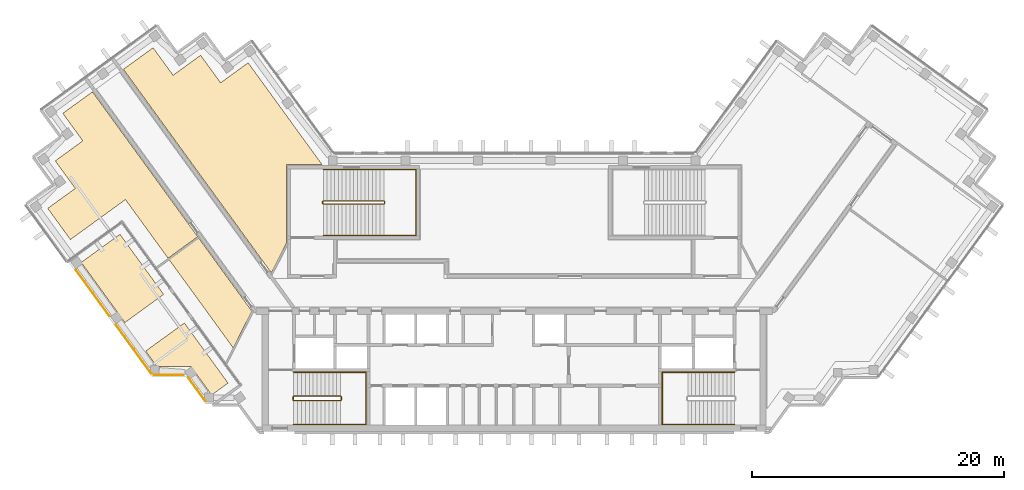
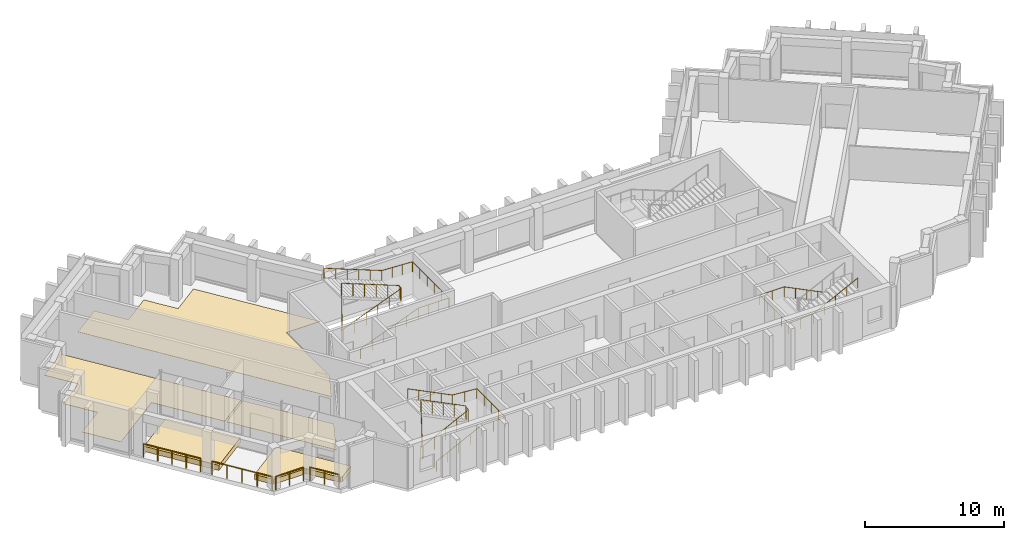
# One storey, part 9 of 10: 9 railings, 5 coverings.
"""IFC4 building model written with IfcOpenShell, lengths in metres."""

from ifc_helpers import new_model, si_unit, direction, frame, origin, origin_2d, place, context, subcontext, project, spatial, polyline, circle, outline, extrude, material, layer, layer_set, type_object, element, save


model = new_model("IFC4")

# Units and contexts
model_context = context("Model", 3, precision=1e-05, world=origin(), true_north=direction((0.0, 1.0)))
body_context = subcontext(model_context, "Body", "Model", "MODEL_VIEW")
ifc_project = project(units=[si_unit("LENGTHUNIT", "METRE"), si_unit("AREAUNIT", "SQUARE_METRE"), si_unit("VOLUMEUNIT", "CUBIC_METRE"), si_unit("PLANEANGLEUNIT", "RADIAN"), si_unit("MASSUNIT", "GRAM", prefix="KILO")], contexts=[model_context])

# Site, building, storey
site_placement = place(None, origin())
site = spatial("IfcSite", under=ifc_project, at=site_placement, CompositionType="ELEMENT")
building_placement = place(site_placement, origin())
building = spatial("IfcBuilding", under=site, at=building_placement, Name="Quipu Civic Tower", CompositionType="ELEMENT")
storey_placement = place(building_placement, frame((0.0, 0.0, 265.0)))
storey = spatial("IfcBuildingStorey", under=building, at=storey_placement, Name="L62", CompositionType="ELEMENT", Elevation=265.0)

# Coverings
ifc_material_1 = material(Name="Carpet tile on raised access floor")
ifc_layer_1 = layer(ifc_material_1, 0.02001953125)
ifc_layer_set_1 = layer_set([ifc_layer_1], Name="Carpet tile on raised access floor")
covering_type_1 = type_object("IfcCoveringType", Name="Carpet tile floor finish 20", PredefinedType="FLOORING", material=ifc_layer_set_1)
covering_1_placement = place(storey_placement, origin())
element("IfcCovering", 1, at=covering_1_placement, inside=storey, type_object=covering_type_1, Name="Carpet tile floor finish 20", PredefinedType="FLOORING", context=body_context, shape_type="SweptSolid", body=[
    extrude(outline(polyline([(-31.013916015625, 17.7451171875), (-28.658935546875, 19.455078125), (-27.073974609375, 17.27197265625), (-24.887939453125, 18.85791015625), (-23.301025390625, 16.675048828125), (-21.116943359375, 18.260986328125), (-15.238037109375, 10.169921875), (-18.070068359375, 10.1689453125), (-18.070068359375, 3.94189453125), (-19.27197265625, 1.583984375), (-31.013916015625, 17.7451171875)])), origin(), (0.0, 0.0, 1.0), 0.02001953125),
])
covering_2_placement = place(storey_placement, origin())
element("IfcCovering", 2, at=covering_2_placement, inside=storey, type_object=covering_type_1, Name="Carpet tile floor finish 20", PredefinedType="FLOORING", context=body_context, shape_type="SweptSolid", body=[
    extrude(outline(polyline([(-27.389892578125, 2.635009765625), (-25.034912109375, 4.344970703125), (-20.821044921875, -1.4560546875), (-22.303955078125, -4.365966796875), (-27.389892578125, 2.635009765625)])), origin(), (0.0, 0.0, 1.0), 0.02001953125),
])
ifc_material_2 = material(Name="Ceramic floor tile")
ifc_layer_2 = layer(ifc_material_2, 0.030029296875)
ifc_layer_set_2 = layer_set([ifc_layer_2], Name="Ceramic floor tile")
covering_type_2 = type_object("IfcCoveringType", Name="Ceramic tile floor finish 30", PredefinedType="FLOORING", material=ifc_layer_set_2)
covering_3_placement = place(storey_placement, origin())
element("IfcCovering", 3, at=covering_3_placement, inside=storey, type_object=covering_type_2, Name="Ceramic tile floor finish 30", PredefinedType="FLOORING", context=body_context, shape_type="SweptSolid", body=[
    extrude(outline(polyline([(-37.02197265625, 6.7060546875), (-34.839111328125, 8.291015625), (-36.425048828125, 10.47607421875), (-34.240966796875, 12.06396484375), (-35.826904296875, 14.248046875), (-33.472900390625, 15.9580078125), (-25.117919921875, 4.4580078125), (-27.472900390625, 2.748046875), (-30.85498046875, 7.403076171875), (-35.22412109375, 4.22998046875), (-37.02197265625, 6.7060546875)])), origin(), (0.0, 0.0, 1.0), 0.030029296875),
])
ifc_material_3 = material(Name="Planting soil on drainage board")
ifc_layer_3 = layer(ifc_material_3, 0.449951171875)
ifc_layer_set_3 = layer_set([ifc_layer_3], Name="Planting soil on drainage board")
covering_type_3 = type_object("IfcCoveringType", Name="Planted terrace build-up", PredefinedType="FLOORING", material=ifc_layer_set_3)
covering_4_placement = place(storey_placement, origin())
element("IfcCovering", 4, at=covering_4_placement, inside=storey, type_object=covering_type_3, Name="Planted terrace L62 bed 1", PredefinedType="FLOORING", context=body_context, shape_type="SweptSolid", body=[
    extrude(outline(polyline([(-34.364990234375, 2.41845703125), (-31.290771484375, 4.652099609375), (-27.82275390625, -0.121337890625), (-30.89697265625, -2.35498046875), (-34.364990234375, 2.41845703125)])), origin(), (0.0, 0.0, 1.0), 0.449951171875),
])
covering_5_placement = place(storey_placement, origin())
element("IfcCovering", 5, at=covering_5_placement, inside=storey, type_object=covering_type_3, Name="Planted terrace L62 bed 2", PredefinedType="FLOORING", context=body_context, shape_type="SweptSolid", body=[
    extrude(outline(polyline([(-24.084228515625, -8.015625), (-25.671142578125, -5.831298828125), (-28.37109375, -5.831298828125), (-29.251220703125, -4.6201171875), (-26.177001953125, -2.38671875), (-22.708984375, -7.15966796875), (-23.88720703125, -8.015625), (-24.084228515625, -8.015625)])), origin(), (0.0, 0.0, 1.0), 0.449951171875),
])

# Railings
ifc_material_4 = material(Name="Stainless steel", Category="steel")
railing_type_1 = type_object("IfcRailingType", Name="Stair guard 1100", PredefinedType="GUARDRAIL", material=ifc_material_4)
railing_1_placement = place(storey_placement, frame((-17.5, -8.550048828125, 0.15380859375)))
element("IfcRailing", 6, at=railing_1_placement, inside=storey, type_object=railing_type_1, Name="Stair 1 guard", PredefinedType="GUARDRAIL", context=body_context, shape_type="SweptSolid", body=[
    extrude(circle(Radius=0.02392578125, at=origin_2d()), frame((0.0, 0.0, 1.076171875), z_axis=(0.895751851347, 0.0, 0.444554407028), x_axis=(0.0, 1.0, 0.0)), (0.0, 0.0, 1.0), 4.15283203125),
    extrude(circle(Radius=0.02392578125, at=origin_2d()), frame((3.719970703125, 0.0, 2.92236328125), z_axis=(0.707106781187, 0.707106781187, 0.0), x_axis=(-0.707106781187, 0.707106781187, 0.0)), (0.0, 0.0, 1.0), 0.07080078125),
    extrude(circle(Radius=0.02392578125, at=origin_2d()), frame((3.77001953125, 0.050048828125, 2.92236328125), z_axis=(0.0, 1.0, 0.0), x_axis=(-1.0, 0.0, 0.0)), (0.0, 0.0, 1.0), 0.25),
    extrude(circle(Radius=0.02392578125, at=origin_2d()), frame((3.77001953125, 0.300048828125, 2.92236328125), z_axis=(-0.295599637079, 0.295599637079, 0.908428152975), x_axis=(-0.707106781187, -0.707106781187, 0.0)), (0.0, 0.0, 1.0), 0.16943359375),
    extrude(circle(Radius=0.02392578125, at=origin_2d()), frame((3.719970703125, 0.35009765625, 3.076171875), z_axis=(-0.895751851347, 0.0, 0.444554407028), x_axis=(0.0, -1.0, 0.0)), (0.0, 0.0, 1.0), 4.15283203125),
    extrude(circle(Radius=0.02392578125, at=origin_2d()), frame((0.0, 0.35009765625, 4.92236328125), z_axis=(-0.012476181752, -0.074796231092, -0.997120789425), x_axis=(0.986372223864, -0.164529134168, 0.0)), (0.0, 0.0, 1.0), 4.011474609375),
    extrude(circle(Radius=0.02392578125, at=origin_2d()), frame((-0.050048828125, 0.050048828125, 0.92236328125), z_axis=(0.0, 1.0, 0.0), x_axis=(-1.0, 0.0, 0.0)), (0.0, 0.0, 1.0), 0.25),
    extrude(circle(Radius=0.02099609375, at=origin_2d()), origin(), (0.0, 0.0, 1.0), 1.052001953125),
    extrude(circle(Radius=0.02099609375, at=origin_2d()), frame((0.929931640625, 0.0, 0.46142578125)), (0.0, 0.0, 1.0), 1.052001953125),
    extrude(circle(Radius=0.02099609375, at=origin_2d()), frame((1.85986328125, 0.0, 0.923095703125)), (0.0, 0.0, 1.0), 1.052001953125),
    extrude(circle(Radius=0.02099609375, at=origin_2d()), frame((2.7900390625, 0.0, 1.384765625)), (0.0, 0.0, 1.0), 1.052001953125),
    extrude(circle(Radius=0.02099609375, at=origin_2d()), frame((3.719970703125, 0.0, 1.84619140625)), (0.0, 0.0, 1.0), 1.052001953125),
    extrude(circle(Radius=0.02099609375, at=origin_2d()), frame((3.77001953125, 0.050048828125, 1.84619140625)), (0.0, 0.0, 1.0), 1.052001953125),
    extrude(circle(Radius=0.02099609375, at=origin_2d()), frame((3.77001953125, 0.300048828125, 1.84619140625)), (0.0, 0.0, 1.0), 1.052001953125),
    extrude(circle(Radius=0.02099609375, at=origin_2d()), frame((3.719970703125, 0.35009765625, 2.0)), (0.0, 0.0, 1.0), 1.052001953125),
    extrude(circle(Radius=0.02099609375, at=origin_2d()), frame((2.7900390625, 0.35009765625, 2.46142578125)), (0.0, 0.0, 1.0), 1.052001953125),
    extrude(circle(Radius=0.02099609375, at=origin_2d()), frame((1.85986328125, 0.35009765625, 2.923095703125)), (0.0, 0.0, 1.0), 1.052001953125),
    extrude(circle(Radius=0.02099609375, at=origin_2d()), frame((0.929931640625, 0.35009765625, 3.384765625)), (0.0, 0.0, 1.0), 1.052001953125),
    extrude(circle(Radius=0.02099609375, at=origin_2d()), frame((0.0, 0.35009765625, 3.84619140625)), (0.0, 0.0, 1.0), 1.052001953125),
    extrude(circle(Radius=0.02099609375, at=origin_2d()), frame((-0.012451171875, 0.275146484375, 2.84619140625)), (0.0, 0.0, 1.0), 1.052001953125),
    extrude(circle(Radius=0.02099609375, at=origin_2d()), frame((-0.02490234375, 0.2001953125, 1.84619140625)), (0.0, 0.0, 1.0), 1.052001953125),
    extrude(circle(Radius=0.02099609375, at=origin_2d()), frame((-0.03759765625, 0.125, 0.84619140625)), (0.0, 0.0, 1.0), 1.052001953125),
    extrude(circle(Radius=0.02099609375, at=origin_2d()), frame((-0.050048828125, 0.050048828125, -0.15380859375)), (0.0, 0.0, 1.0), 1.052001953125),
    extrude(circle(Radius=0.02099609375, at=origin_2d()), frame((-0.050048828125, 0.300048828125, -0.15380859375)), (0.0, 0.0, 1.0), 1.052001953125),
])
railing_2_placement = place(storey_placement, frame((-15.14990234375, 7.050048828125, 0.11767578125)))
element("IfcRailing", 7, at=railing_2_placement, inside=storey, type_object=railing_type_1, Name="Stair 3 guard", PredefinedType="GUARDRAIL", context=body_context, shape_type="SweptSolid", body=[
    extrude(circle(Radius=0.02392578125, at=origin_2d()), frame((0.0, 0.0, 1.076171875), z_axis=(0.930970042603, 0.0, 0.365095576219), x_axis=(0.0, 1.0, 0.0)), (0.0, 0.0, 1.0), 5.15576171875),
    extrude(circle(Radius=0.02392578125, at=origin_2d()), frame((4.7998046875, 0.0, 2.95849609375), z_axis=(0.707106781187, 0.707106781187, 0.0), x_axis=(-0.707106781187, 0.707106781187, 0.0)), (0.0, 0.0, 1.0), 0.07080078125),
    extrude(circle(Radius=0.02392578125, at=origin_2d()), frame((4.849853515625, 0.050048828125, 2.95849609375), z_axis=(0.0, 1.0, 0.0), x_axis=(-1.0, 0.0, 0.0)), (0.0, 0.0, 1.0), 0.14990234375),
    extrude(circle(Radius=0.02392578125, at=origin_2d()), frame((4.849853515625, 0.199951171875, 2.95849609375), z_axis=(-0.364463019033, 0.364463019033, 0.856932561824), x_axis=(-0.707106781187, -0.707106781187, 0.0)), (0.0, 0.0, 1.0), 0.13720703125),
    extrude(circle(Radius=0.02392578125, at=origin_2d()), frame((4.7998046875, 0.25, 3.076171875), z_axis=(-0.930970042603, 0.0, 0.365095576219), x_axis=(0.0, -1.0, 0.0)), (0.0, 0.0, 1.0), 5.15576171875),
    extrude(circle(Radius=0.02392578125, at=origin_2d()), frame((0.0, 0.25, 4.95849609375), z_axis=(-0.012495627992, -0.049921557685, -0.998674970829), x_axis=(0.970072785993, -0.242814311512, 0.0)), (0.0, 0.0, 1.0), 4.00537109375),
    extrude(circle(Radius=0.02392578125, at=origin_2d()), frame((-0.050048828125, 0.050048828125, 0.95849609375), z_axis=(0.0, 1.0, 0.0), x_axis=(-1.0, 0.0, 0.0)), (0.0, 0.0, 1.0), 0.14990234375),
    extrude(circle(Radius=0.02099609375, at=origin_2d()), origin(), (0.0, 0.0, 1.0), 1.052001953125),
    extrude(circle(Radius=0.02099609375, at=origin_2d()), frame((0.9599609375, 0.0, 0.37646484375)), (0.0, 0.0, 1.0), 1.052001953125),
    extrude(circle(Radius=0.02099609375, at=origin_2d()), frame((1.919921875, 0.0, 0.7529296875)), (0.0, 0.0, 1.0), 1.052001953125),
    extrude(circle(Radius=0.02099609375, at=origin_2d()), frame((2.8798828125, 0.0, 1.12939453125)), (0.0, 0.0, 1.0), 1.052001953125),
    extrude(circle(Radius=0.02099609375, at=origin_2d()), frame((3.83984375, 0.0, 1.505859375)), (0.0, 0.0, 1.0), 1.052001953125),
    extrude(circle(Radius=0.02099609375, at=origin_2d()), frame((4.7998046875, 0.0, 1.88232421875)), (0.0, 0.0, 1.0), 1.052001953125),
    extrude(circle(Radius=0.02099609375, at=origin_2d()), frame((4.849853515625, 0.050048828125, 1.88232421875)), (0.0, 0.0, 1.0), 1.052001953125),
    extrude(circle(Radius=0.02099609375, at=origin_2d()), frame((4.849853515625, 0.199951171875, 1.88232421875)), (0.0, 0.0, 1.0), 1.052001953125),
    extrude(circle(Radius=0.02099609375, at=origin_2d()), frame((4.7998046875, 0.25, 2.0)), (0.0, 0.0, 1.0), 1.052001953125),
    extrude(circle(Radius=0.02099609375, at=origin_2d()), frame((3.83984375, 0.25, 2.37646484375)), (0.0, 0.0, 1.0), 1.052001953125),
    extrude(circle(Radius=0.02099609375, at=origin_2d()), frame((2.8798828125, 0.25, 2.7529296875)), (0.0, 0.0, 1.0), 1.052001953125),
    extrude(circle(Radius=0.02099609375, at=origin_2d()), frame((1.919921875, 0.25, 3.12939453125)), (0.0, 0.0, 1.0), 1.052001953125),
    extrude(circle(Radius=0.02099609375, at=origin_2d()), frame((0.9599609375, 0.25, 3.505859375)), (0.0, 0.0, 1.0), 1.052001953125),
    extrude(circle(Radius=0.02099609375, at=origin_2d()), frame((0.0, 0.25, 3.88232421875)), (0.0, 0.0, 1.0), 1.052001953125),
    extrude(circle(Radius=0.02099609375, at=origin_2d()), frame((-0.012451171875, 0.199951171875, 2.88232421875)), (0.0, 0.0, 1.0), 1.052001953125),
    extrude(circle(Radius=0.02099609375, at=origin_2d()), frame((-0.02490234375, 0.14990234375, 1.88232421875)), (0.0, 0.0, 1.0), 1.052001953125),
    extrude(circle(Radius=0.02099609375, at=origin_2d()), frame((-0.03759765625, 0.10009765625, 0.88232421875)), (0.0, 0.0, 1.0), 1.052001953125),
    extrude(circle(Radius=0.02099609375, at=origin_2d()), frame((-0.050048828125, 0.050048828125, -0.11767578125)), (0.0, 0.0, 1.0), 1.052001953125),
    extrude(circle(Radius=0.02099609375, at=origin_2d()), frame((-0.050048828125, 0.199951171875, -0.11767578125)), (0.0, 0.0, 1.0), 1.052001953125),
])
ifc_material_5 = material(Name="Stainless steel", Category="steel")
railing_type_2 = type_object("IfcRailingType", Name="Stair handrail", PredefinedType="HANDRAIL", material=ifc_material_5)
railing_3_placement = place(storey_placement, frame((-17.5, -10.449951171875, 0.15380859375)))
element("IfcRailing", 8, at=railing_3_placement, inside=storey, type_object=railing_type_2, Name="Stair 1 handrail", PredefinedType="HANDRAIL", context=body_context, shape_type="SweptSolid", body=[
    extrude(circle(Radius=0.02392578125, at=origin_2d()), frame((0.0, 0.0, 0.8759765625), z_axis=(0.895751851347, 0.0, 0.444554407028), x_axis=(0.0, 1.0, 0.0)), (0.0, 0.0, 1.0), 4.15283203125),
    extrude(circle(Radius=0.02392578125, at=origin_2d()), frame((3.719970703125, 0.0, 2.72216796875), z_axis=(1.0, 0.0, 0.0), x_axis=(0.0, 1.0, 0.0)), (0.0, 0.0, 1.0), 2.030029296875),
    extrude(circle(Radius=0.02392578125, at=origin_2d()), frame((5.75, 0.0, 2.72216796875), z_axis=(0.0, 1.0, 0.0), x_axis=(-1.0, 0.0, 0.0)), (0.0, 0.0, 1.0), 4.14990234375),
    extrude(circle(Radius=0.02392578125, at=origin_2d()), frame((5.75, 4.14990234375, 2.72216796875), z_axis=(-0.997142003663, 0.0, 0.075550145798), x_axis=(0.0, -1.0, 0.0)), (0.0, 0.0, 1.0), 2.035888671875),
    extrude(circle(Radius=0.02392578125, at=origin_2d()), frame((3.719970703125, 4.14990234375, 2.8759765625), z_axis=(-0.895751851347, 0.0, 0.444554407028), x_axis=(0.0, -1.0, 0.0)), (0.0, 0.0, 1.0), 4.15283203125),
    extrude(circle(Radius=0.02099609375, at=origin_2d()), origin(), (0.0, 0.0, 1.0), 0.851806640625),
    extrude(circle(Radius=0.02099609375, at=origin_2d()), frame((0.929931640625, 0.0, 0.46142578125)), (0.0, 0.0, 1.0), 0.851806640625),
    extrude(circle(Radius=0.02099609375, at=origin_2d()), frame((1.85986328125, 0.0, 0.923095703125)), (0.0, 0.0, 1.0), 0.851806640625),
    extrude(circle(Radius=0.02099609375, at=origin_2d()), frame((2.7900390625, 0.0, 1.384765625)), (0.0, 0.0, 1.0), 0.851806640625),
    extrude(circle(Radius=0.02099609375, at=origin_2d()), frame((3.719970703125, 0.0, 1.84619140625)), (0.0, 0.0, 1.0), 0.851806640625),
    extrude(circle(Radius=0.02099609375, at=origin_2d()), frame((4.73486328125, 0.0, 1.84619140625)), (0.0, 0.0, 1.0), 0.851806640625),
    extrude(circle(Radius=0.02099609375, at=origin_2d()), frame((5.75, 0.0, 1.84619140625)), (0.0, 0.0, 1.0), 0.851806640625),
    extrude(circle(Radius=0.02099609375, at=origin_2d()), frame((5.75, 1.03759765625, 1.84619140625)), (0.0, 0.0, 1.0), 0.851806640625),
    extrude(circle(Radius=0.02099609375, at=origin_2d()), frame((5.75, 2.074951171875, 1.84619140625)), (0.0, 0.0, 1.0), 0.851806640625),
    extrude(circle(Radius=0.02099609375, at=origin_2d()), frame((5.75, 3.1123046875, 1.84619140625)), (0.0, 0.0, 1.0), 0.851806640625),
    extrude(circle(Radius=0.02099609375, at=origin_2d()), frame((5.75, 4.14990234375, 1.84619140625)), (0.0, 0.0, 1.0), 0.851806640625),
    extrude(circle(Radius=0.02099609375, at=origin_2d()), frame((4.73486328125, 4.14990234375, 1.923095703125)), (0.0, 0.0, 1.0), 0.851806640625),
    extrude(circle(Radius=0.02099609375, at=origin_2d()), frame((3.719970703125, 4.14990234375, 2.0)), (0.0, 0.0, 1.0), 0.851806640625),
    extrude(circle(Radius=0.02099609375, at=origin_2d()), frame((2.7900390625, 4.14990234375, 2.46142578125)), (0.0, 0.0, 1.0), 0.851806640625),
    extrude(circle(Radius=0.02099609375, at=origin_2d()), frame((1.85986328125, 4.14990234375, 2.923095703125)), (0.0, 0.0, 1.0), 0.851806640625),
    extrude(circle(Radius=0.02099609375, at=origin_2d()), frame((0.929931640625, 4.14990234375, 3.384765625)), (0.0, 0.0, 1.0), 0.851806640625),
    extrude(circle(Radius=0.02099609375, at=origin_2d()), frame((0.0, 4.14990234375, 3.84619140625)), (0.0, 0.0, 1.0), 0.851806640625),
])
railing_4_placement = place(storey_placement, frame((17.5, -6.300048828125, 0.15380859375)))
element("IfcRailing", 9, at=railing_4_placement, inside=storey, type_object=railing_type_2, Name="Stair 2 handrail", PredefinedType="HANDRAIL", context=body_context, shape_type="SweptSolid", body=[
    extrude(circle(Radius=0.02392578125, at=origin_2d()), frame((0.0, 0.0, 0.8759765625), z_axis=(-0.895751851347, 0.0, 0.444554407028), x_axis=(0.0, -1.0, 0.0)), (0.0, 0.0, 1.0), 4.15283203125),
    extrude(circle(Radius=0.02392578125, at=origin_2d()), frame((-3.719970703125, 0.0, 2.72216796875), z_axis=(-1.0, 0.0, 0.0), x_axis=(0.0, -1.0, 0.0)), (0.0, 0.0, 1.0), 2.030029296875),
    extrude(circle(Radius=0.02392578125, at=origin_2d()), frame((-5.75, 0.0, 2.72216796875), z_axis=(0.0, -1.0, 0.0), x_axis=(1.0, 0.0, 0.0)), (0.0, 0.0, 1.0), 4.14990234375),
    extrude(circle(Radius=0.02392578125, at=origin_2d()), frame((-5.75, -4.14990234375, 2.72216796875), z_axis=(0.997142003663, 0.0, 0.075550145798), x_axis=(0.0, 1.0, 0.0)), (0.0, 0.0, 1.0), 2.035888671875),
    extrude(circle(Radius=0.02392578125, at=origin_2d()), frame((-3.719970703125, -4.14990234375, 2.8759765625), z_axis=(0.895751851347, 0.0, 0.444554407028), x_axis=(0.0, 1.0, 0.0)), (0.0, 0.0, 1.0), 4.15283203125),
    extrude(circle(Radius=0.02099609375, at=origin_2d()), origin(), (0.0, 0.0, 1.0), 0.851806640625),
    extrude(circle(Radius=0.02099609375, at=origin_2d()), frame((-0.929931640625, 0.0, 0.46142578125)), (0.0, 0.0, 1.0), 0.851806640625),
    extrude(circle(Radius=0.02099609375, at=origin_2d()), frame((-1.85986328125, 0.0, 0.923095703125)), (0.0, 0.0, 1.0), 0.851806640625),
    extrude(circle(Radius=0.02099609375, at=origin_2d()), frame((-2.7900390625, 0.0, 1.384765625)), (0.0, 0.0, 1.0), 0.851806640625),
    extrude(circle(Radius=0.02099609375, at=origin_2d()), frame((-3.719970703125, 0.0, 1.84619140625)), (0.0, 0.0, 1.0), 0.851806640625),
    extrude(circle(Radius=0.02099609375, at=origin_2d()), frame((-4.73486328125, 0.0, 1.84619140625)), (0.0, 0.0, 1.0), 0.851806640625),
    extrude(circle(Radius=0.02099609375, at=origin_2d()), frame((-5.75, 0.0, 1.84619140625)), (0.0, 0.0, 1.0), 0.851806640625),
    extrude(circle(Radius=0.02099609375, at=origin_2d()), frame((-5.75, -1.03759765625, 1.84619140625)), (0.0, 0.0, 1.0), 0.851806640625),
    extrude(circle(Radius=0.02099609375, at=origin_2d()), frame((-5.75, -2.074951171875, 1.84619140625)), (0.0, 0.0, 1.0), 0.851806640625),
    extrude(circle(Radius=0.02099609375, at=origin_2d()), frame((-5.75, -3.1123046875, 1.84619140625)), (0.0, 0.0, 1.0), 0.851806640625),
    extrude(circle(Radius=0.02099609375, at=origin_2d()), frame((-5.75, -4.14990234375, 1.84619140625)), (0.0, 0.0, 1.0), 0.851806640625),
    extrude(circle(Radius=0.02099609375, at=origin_2d()), frame((-4.73486328125, -4.14990234375, 1.923095703125)), (0.0, 0.0, 1.0), 0.851806640625),
    extrude(circle(Radius=0.02099609375, at=origin_2d()), frame((-3.719970703125, -4.14990234375, 2.0)), (0.0, 0.0, 1.0), 0.851806640625),
    extrude(circle(Radius=0.02099609375, at=origin_2d()), frame((-2.7900390625, -4.14990234375, 2.46142578125)), (0.0, 0.0, 1.0), 0.851806640625),
    extrude(circle(Radius=0.02099609375, at=origin_2d()), frame((-1.85986328125, -4.14990234375, 2.923095703125)), (0.0, 0.0, 1.0), 0.851806640625),
    extrude(circle(Radius=0.02099609375, at=origin_2d()), frame((-0.929931640625, -4.14990234375, 3.384765625)), (0.0, 0.0, 1.0), 0.851806640625),
    extrude(circle(Radius=0.02099609375, at=origin_2d()), frame((0.0, -4.14990234375, 3.84619140625)), (0.0, 0.0, 1.0), 0.851806640625),
])
railing_5_placement = place(storey_placement, frame((-15.14990234375, 4.550048828125, 0.11767578125)))
element("IfcRailing", 10, at=railing_5_placement, inside=storey, type_object=railing_type_2, Name="Stair 3 handrail", PredefinedType="HANDRAIL", context=body_context, shape_type="SweptSolid", body=[
    extrude(circle(Radius=0.02392578125, at=origin_2d()), frame((0.0, 0.0, 0.8759765625), z_axis=(0.930970042603, 0.0, 0.365095576219), x_axis=(0.0, 1.0, 0.0)), (0.0, 0.0, 1.0), 5.15576171875),
    extrude(circle(Radius=0.02392578125, at=origin_2d()), frame((4.7998046875, 0.0, 2.75830078125), z_axis=(1.0, 0.0, 0.0), x_axis=(0.0, 1.0, 0.0)), (0.0, 0.0, 1.0), 2.550048828125),
    extrude(circle(Radius=0.02392578125, at=origin_2d()), frame((7.349853515625, 0.0, 2.75830078125), z_axis=(0.0, 1.0, 0.0), x_axis=(-1.0, 0.0, 0.0)), (0.0, 0.0, 1.0), 5.25),
    extrude(circle(Radius=0.02392578125, at=origin_2d()), frame((7.349853515625, 5.25, 2.75830078125), z_axis=(-0.998936948642, 0.0, 0.04609742549), x_axis=(0.0, -1.0, 0.0)), (0.0, 0.0, 1.0), 2.552734375),
    extrude(circle(Radius=0.02392578125, at=origin_2d()), frame((4.7998046875, 5.25, 2.8759765625), z_axis=(-0.930970042603, 0.0, 0.365095576219), x_axis=(0.0, -1.0, 0.0)), (0.0, 0.0, 1.0), 5.15576171875),
    extrude(circle(Radius=0.02099609375, at=origin_2d()), origin(), (0.0, 0.0, 1.0), 0.851806640625),
    extrude(circle(Radius=0.02099609375, at=origin_2d()), frame((0.9599609375, 0.0, 0.37646484375)), (0.0, 0.0, 1.0), 0.851806640625),
    extrude(circle(Radius=0.02099609375, at=origin_2d()), frame((1.919921875, 0.0, 0.7529296875)), (0.0, 0.0, 1.0), 0.851806640625),
    extrude(circle(Radius=0.02099609375, at=origin_2d()), frame((2.8798828125, 0.0, 1.12939453125)), (0.0, 0.0, 1.0), 0.851806640625),
    extrude(circle(Radius=0.02099609375, at=origin_2d()), frame((3.83984375, 0.0, 1.505859375)), (0.0, 0.0, 1.0), 0.851806640625),
    extrude(circle(Radius=0.02099609375, at=origin_2d()), frame((4.7998046875, 0.0, 1.88232421875)), (0.0, 0.0, 1.0), 0.851806640625),
    extrude(circle(Radius=0.02099609375, at=origin_2d()), frame((5.64990234375, 0.0, 1.88232421875)), (0.0, 0.0, 1.0), 0.851806640625),
    extrude(circle(Radius=0.02099609375, at=origin_2d()), frame((6.499755859375, 0.0, 1.88232421875)), (0.0, 0.0, 1.0), 0.851806640625),
    extrude(circle(Radius=0.02099609375, at=origin_2d()), frame((7.349853515625, 0.0, 1.88232421875)), (0.0, 0.0, 1.0), 0.851806640625),
    extrude(circle(Radius=0.02099609375, at=origin_2d()), frame((7.349853515625, 1.050048828125, 1.88232421875)), (0.0, 0.0, 1.0), 0.851806640625),
    extrude(circle(Radius=0.02099609375, at=origin_2d()), frame((7.349853515625, 2.10009765625, 1.88232421875)), (0.0, 0.0, 1.0), 0.851806640625),
    extrude(circle(Radius=0.02099609375, at=origin_2d()), frame((7.349853515625, 3.14990234375, 1.88232421875)), (0.0, 0.0, 1.0), 0.851806640625),
    extrude(circle(Radius=0.02099609375, at=origin_2d()), frame((7.349853515625, 4.199951171875, 1.88232421875)), (0.0, 0.0, 1.0), 0.851806640625),
    extrude(circle(Radius=0.02099609375, at=origin_2d()), frame((7.349853515625, 5.25, 1.88232421875)), (0.0, 0.0, 1.0), 0.851806640625),
    extrude(circle(Radius=0.02099609375, at=origin_2d()), frame((6.499755859375, 5.25, 1.921630859375)), (0.0, 0.0, 1.0), 0.851806640625),
    extrude(circle(Radius=0.02099609375, at=origin_2d()), frame((5.64990234375, 5.25, 1.960693359375)), (0.0, 0.0, 1.0), 0.851806640625),
    extrude(circle(Radius=0.02099609375, at=origin_2d()), frame((4.7998046875, 5.25, 2.0)), (0.0, 0.0, 1.0), 0.851806640625),
    extrude(circle(Radius=0.02099609375, at=origin_2d()), frame((3.83984375, 5.25, 2.37646484375)), (0.0, 0.0, 1.0), 0.851806640625),
    extrude(circle(Radius=0.02099609375, at=origin_2d()), frame((2.8798828125, 5.25, 2.7529296875)), (0.0, 0.0, 1.0), 0.851806640625),
    extrude(circle(Radius=0.02099609375, at=origin_2d()), frame((1.919921875, 5.25, 3.12939453125)), (0.0, 0.0, 1.0), 0.851806640625),
    extrude(circle(Radius=0.02099609375, at=origin_2d()), frame((0.9599609375, 5.25, 3.505859375)), (0.0, 0.0, 1.0), 0.851806640625),
    extrude(circle(Radius=0.02099609375, at=origin_2d()), frame((0.0, 5.25, 3.88232421875)), (0.0, 0.0, 1.0), 0.851806640625),
])
ifc_material_6 = material(Name="Steel S275", Category="steel")
railing_type_3 = type_object("IfcRailingType", Name="Terrace guard G1", PredefinedType="GUARDRAIL", material=ifc_material_6)
railing_6_placement = place(storey_placement, frame((-34.765380859375, 1.8125, 0.0)))
element("IfcRailing", 11, at=railing_6_placement, inside=storey, type_object=railing_type_3, Name="Terrace guard L62.1", PredefinedType="GUARDRAIL", context=body_context, shape_type="SweptSolid", body=[
    extrude(circle(Radius=0.02490234375, at=origin_2d()), frame((0.0, 0.0, 1.1748046875), z_axis=(0.587803872688, -0.809003465539, 0.0), x_axis=(0.809003465539, 0.587803872688, 0.0)), (0.0, 0.0, 1.0), 4.499755859375),
    extrude(circle(Radius=0.02490234375, at=origin_2d()), origin(), (0.0, 0.0, 1.0), 1.14990234375),
    extrude(circle(Radius=0.02490234375, at=origin_2d()), frame((0.6611328125, -0.91015625, 0.0)), (0.0, 0.0, 1.0), 1.14990234375),
    extrude(circle(Radius=0.02490234375, at=origin_2d()), frame((1.322509765625, -1.8203125, 0.0)), (0.0, 0.0, 1.0), 1.14990234375),
    extrude(circle(Radius=0.02490234375, at=origin_2d()), frame((1.98388671875, -2.730224609375, 0.0)), (0.0, 0.0, 1.0), 1.14990234375),
    extrude(circle(Radius=0.02490234375, at=origin_2d()), frame((2.64501953125, -3.640380859375, 0.0)), (0.0, 0.0, 1.0), 1.14990234375),
])
railing_7_placement = place(storey_placement, frame((-31.59130859375, -2.55615234375, 0.0)))
element("IfcRailing", 12, at=railing_7_placement, inside=storey, type_object=railing_type_3, Name="Terrace guard L62.2", PredefinedType="GUARDRAIL", context=body_context, shape_type="SweptSolid", body=[
    extrude(circle(Radius=0.02490234375, at=origin_2d()), frame((0.0, 0.0, 1.1748046875), z_axis=(0.58779267372, -0.80901160234, 0.0), x_axis=(0.80901160234, 0.58779267372, 0.0)), (0.0, 0.0, 1.0), 4.75),
    extrude(circle(Radius=0.02490234375, at=origin_2d()), origin(), (0.0, 0.0, 1.0), 1.14990234375),
    extrude(circle(Radius=0.02490234375, at=origin_2d()), frame((0.697998046875, -0.960693359375, 0.0)), (0.0, 0.0, 1.0), 1.14990234375),
    extrude(circle(Radius=0.02490234375, at=origin_2d()), frame((1.39599609375, -1.92138671875, 0.0)), (0.0, 0.0, 1.0), 1.14990234375),
    extrude(circle(Radius=0.02490234375, at=origin_2d()), frame((2.093994140625, -2.882080078125, 0.0)), (0.0, 0.0, 1.0), 1.14990234375),
    extrude(circle(Radius=0.02490234375, at=origin_2d()), frame((2.7919921875, -3.8427734375, 0.0)), (0.0, 0.0, 1.0), 1.14990234375),
])
railing_8_placement = place(storey_placement, frame((-28.578857421875, -6.51123046875, 0.0)))
element("IfcRailing", 13, at=railing_8_placement, inside=storey, type_object=railing_type_3, Name="Terrace guard L62.3", PredefinedType="GUARDRAIL", context=body_context, shape_type="SweptSolid", body=[
    extrude(circle(Radius=0.02490234375, at=origin_2d()), frame((0.0, 0.0, 1.1748046875), z_axis=(1.0, 0.0, 0.0), x_axis=(0.0, 1.0, 0.0)), (0.0, 0.0, 1.0), 2.300048828125),
    extrude(circle(Radius=0.02490234375, at=origin_2d()), origin(), (0.0, 0.0, 1.0), 1.14990234375),
    extrude(circle(Radius=0.02490234375, at=origin_2d()), frame((1.14990234375, 0.0, 0.0)), (0.0, 0.0, 1.0), 1.14990234375),
    extrude(circle(Radius=0.02490234375, at=origin_2d()), frame((2.300048828125, 0.0, 0.0)), (0.0, 0.0, 1.0), 1.14990234375),
])
railing_9_placement = place(storey_placement, frame((-25.8642578125, -6.72265625, 0.0)))
element("IfcRailing", 14, at=railing_9_placement, inside=storey, type_object=railing_type_3, Name="Terrace guard L62.4", PredefinedType="GUARDRAIL", context=body_context, shape_type="SweptSolid", body=[
    extrude(circle(Radius=0.02490234375, at=origin_2d()), frame((0.0, 0.0, 1.1748046875), z_axis=(0.587856073225, -0.808965535219, 0.0), x_axis=(0.808965535219, 0.587856073225, 0.0)), (0.0, 0.0, 1.0), 2.300048828125),
    extrude(circle(Radius=0.02490234375, at=origin_2d()), origin(), (0.0, 0.0, 1.0), 1.14990234375),
    extrude(circle(Radius=0.02490234375, at=origin_2d()), frame((0.676025390625, -0.93017578125, 0.0)), (0.0, 0.0, 1.0), 1.14990234375),
    extrude(circle(Radius=0.02490234375, at=origin_2d()), frame((1.35205078125, -1.860595703125, 0.0)), (0.0, 0.0, 1.0), 1.14990234375),
])

save(model, "model.ifc")
